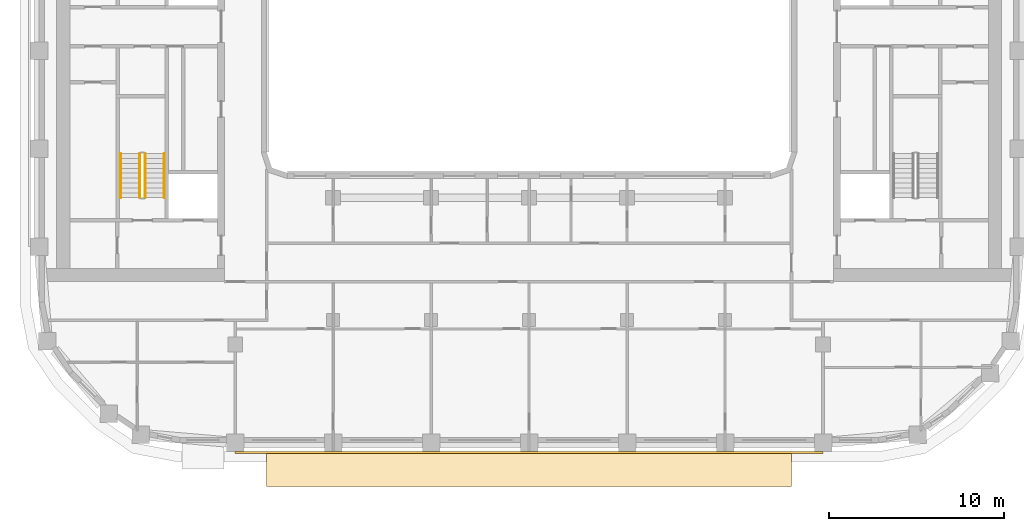
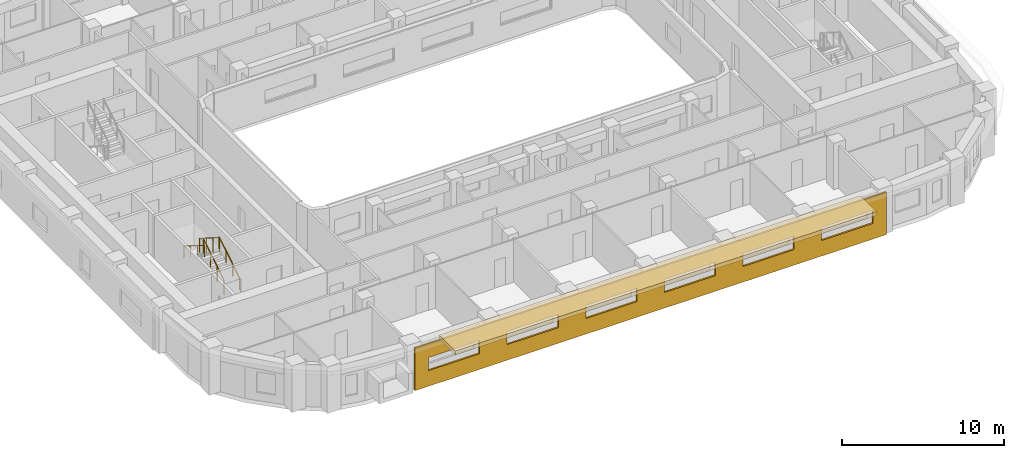
# One storey, part 12 of 22: 4 railings, 2 coverings.
"""IFC4 building model written with IfcOpenShell, lengths in metres."""

from ifc_helpers import new_model, si_unit, direction, frame, origin, origin_2d, place, context, subcontext, project, spatial, polyline, circle, outline, extrude, material, layer, layer_set, type_object, element, save


model = new_model("IFC4")

# Units and contexts
model_context = context("Model", 3, precision=1e-05, world=origin(), true_north=direction((0.0, 1.0)))
body_context = subcontext(model_context, "Body", "Model", "MODEL_VIEW")
ifc_project = project(units=[si_unit("LENGTHUNIT", "METRE"), si_unit("AREAUNIT", "SQUARE_METRE"), si_unit("VOLUMEUNIT", "CUBIC_METRE"), si_unit("PLANEANGLEUNIT", "RADIAN"), si_unit("MASSUNIT", "GRAM", prefix="KILO")], contexts=[model_context])

# Site, building, storey
site_placement = place(None, origin())
site = spatial("IfcSite", under=ifc_project, at=site_placement, CompositionType="ELEMENT")
building_placement = place(site_placement, origin())
building = spatial("IfcBuilding", under=site, at=building_placement, Name="Kiln Ring Residences", CompositionType="ELEMENT")
storey_placement = place(building_placement, frame((0.0, 0.0, 171.10009765625)))
storey = spatial("IfcBuildingStorey", under=building, at=storey_placement, Name="L44", CompositionType="ELEMENT", Elevation=171.10009765625)

# Railings
ifc_material_1 = material(Name="Stainless steel", Category="steel")
railing_type_1 = type_object("IfcRailingType", Name="CORE-STAIR-GUARD", PredefinedType="GUARDRAIL", material=ifc_material_1)
railing_1_placement = place(storey_placement, frame((-21.949951171875, -8.39990234375, 0.1748046875)))
element("IfcRailing", 1, at=railing_1_placement, inside=storey, type_object=railing_type_1, Name="L44 W-STS stair guard 1", PredefinedType="GUARDRAIL", context=body_context, shape_type="SweptSolid", body=[
    extrude(circle(Radius=0.02392578125, at=origin_2d()), frame((0.0, 0.0, 1.076171875), z_axis=(0.0, 0.847970611238, 0.530043245855), x_axis=(-1.0, 0.0, 0.0)), (0.0, 0.0, 1.0), 2.971923828125),
    extrude(circle(Radius=0.02099609375, at=origin_2d()), origin(), (0.0, 0.0, 1.0), 1.052001953125),
    extrude(circle(Radius=0.02099609375, at=origin_2d()), frame((0.0, 0.840087890625, 0.525146484375)), (0.0, 0.0, 1.0), 1.052001953125),
    extrude(circle(Radius=0.02099609375, at=origin_2d()), frame((0.0, 1.679931640625, 1.050048828125)), (0.0, 0.0, 1.0), 1.052001953125),
    extrude(circle(Radius=0.02099609375, at=origin_2d()), frame((0.0, 2.52001953125, 1.5751953125)), (0.0, 0.0, 1.0), 1.052001953125),
])
railing_2_placement = place(storey_placement, frame((-22.25, -5.8798828125, 1.9248046875)))
element("IfcRailing", 2, at=railing_2_placement, inside=storey, type_object=railing_type_1, Name="L44 W-STS stair guard 3", PredefinedType="GUARDRAIL", context=body_context, shape_type="SweptSolid", body=[
    extrude(circle(Radius=0.02392578125, at=origin_2d()), frame((0.0, 0.0, 1.076171875), z_axis=(0.0, -0.847970611238, 0.530043245855), x_axis=(1.0, 0.0, 0.0)), (0.0, 0.0, 1.0), 2.971923828125),
    extrude(circle(Radius=0.02099609375, at=origin_2d()), origin(), (0.0, 0.0, 1.0), 1.052001953125),
    extrude(circle(Radius=0.02099609375, at=origin_2d()), frame((0.0, -0.840087890625, 0.525146484375)), (0.0, 0.0, 1.0), 1.052001953125),
    extrude(circle(Radius=0.02099609375, at=origin_2d()), frame((0.0, -1.679931640625, 1.050048828125)), (0.0, 0.0, 1.0), 1.052001953125),
    extrude(circle(Radius=0.02099609375, at=origin_2d()), frame((0.0, -2.52001953125, 1.5751953125)), (0.0, 0.0, 1.0), 1.052001953125),
])
ifc_material_2 = material(Name="Stainless steel", Category="steel")
railing_type_2 = type_object("IfcRailingType", Name="CORE-STAIR-HANDRAIL", PredefinedType="HANDRAIL", material=ifc_material_2)
railing_3_placement = place(storey_placement, frame((-20.85009765625, -8.39990234375, 0.1748046875)))
element("IfcRailing", 3, at=railing_3_placement, inside=storey, type_object=railing_type_2, Name="L44 W-STS stair handrail 1", PredefinedType="HANDRAIL", context=body_context, shape_type="SweptSolid", body=[
    extrude(circle(Radius=0.02392578125, at=origin_2d()), frame((0.0, 0.0, 0.8759765625), z_axis=(0.0, 0.847970611238, 0.530043245855), x_axis=(-1.0, 0.0, 0.0)), (0.0, 0.0, 1.0), 2.971923828125),
    extrude(circle(Radius=0.02099609375, at=origin_2d()), origin(), (0.0, 0.0, 1.0), 0.851806640625),
    extrude(circle(Radius=0.02099609375, at=origin_2d()), frame((0.0, 0.840087890625, 0.525146484375)), (0.0, 0.0, 1.0), 0.851806640625),
    extrude(circle(Radius=0.02099609375, at=origin_2d()), frame((0.0, 1.679931640625, 1.050048828125)), (0.0, 0.0, 1.0), 0.851806640625),
    extrude(circle(Radius=0.02099609375, at=origin_2d()), frame((0.0, 2.52001953125, 1.5751953125)), (0.0, 0.0, 1.0), 0.851806640625),
])
railing_4_placement = place(storey_placement, frame((-23.35009765625, -5.8798828125, 1.9248046875)))
element("IfcRailing", 4, at=railing_4_placement, inside=storey, type_object=railing_type_2, Name="L44 W-STS stair handrail 2", PredefinedType="HANDRAIL", context=body_context, shape_type="SweptSolid", body=[
    extrude(circle(Radius=0.02392578125, at=origin_2d()), frame((0.0, 0.0, 0.8759765625), z_axis=(0.0, -0.847970611238, 0.530043245855), x_axis=(1.0, 0.0, 0.0)), (0.0, 0.0, 1.0), 2.971923828125),
    extrude(circle(Radius=0.02099609375, at=origin_2d()), origin(), (0.0, 0.0, 1.0), 0.851806640625),
    extrude(circle(Radius=0.02099609375, at=origin_2d()), frame((0.0, -0.840087890625, 0.525146484375)), (0.0, 0.0, 1.0), 0.851806640625),
    extrude(circle(Radius=0.02099609375, at=origin_2d()), frame((0.0, -1.679931640625, 1.050048828125)), (0.0, 0.0, 1.0), 0.851806640625),
    extrude(circle(Radius=0.02099609375, at=origin_2d()), frame((0.0, -2.52001953125, 1.5751953125)), (0.0, 0.0, 1.0), 0.851806640625),
])

# Coverings
ifc_material_3 = material(Name="Brick masonry, dark clay brick", Category="masonry")
ifc_layer_1 = layer(ifc_material_3, 0.1201171875)
ifc_layer_set_1 = layer_set([ifc_layer_1], Name="RAINSCREEN PANEL 120")
covering_type_1 = type_object("IfcCoveringType", Name="RAINSCREEN PANEL 120", PredefinedType="CLADDING", material=ifc_layer_set_1)
covering_1_placement = place(storey_placement, frame((-16.800048828125, -22.9599609375, 0.0), z_axis=(0.0, 0.0, 1.0), x_axis=(1.0, 0.0, 0.0)))
element("IfcCovering", 5, at=covering_1_placement, inside=storey, type_object=covering_type_1, Name="RAINSCREEN L44", PredefinedType="CLADDING", context=body_context, shape_type="SweptSolid", body=[
    extrude(outline(polyline([(0.0, 0.0), (33.60009765625, 0.0), (33.60009765625, 3.199951171875), (0.0, 3.199951171875), (0.0, 0.0)]), holes=[polyline([(4.6201171875, 1.179931640625), (4.6201171875, 2.169921875), (0.97998046875, 2.169921875), (0.97998046875, 1.179931640625), (4.6201171875, 1.179931640625)]), polyline([(6.580078125, 1.179931640625), (10.219970703125, 1.179931640625), (10.219970703125, 2.169921875), (6.580078125, 2.169921875), (6.580078125, 1.179931640625)]), polyline([(12.179931640625, 1.179931640625), (15.820068359375, 1.179931640625), (15.820068359375, 2.169921875), (12.179931640625, 2.169921875), (12.179931640625, 1.179931640625)]), polyline([(21.419921875, 1.179931640625), (21.419921875, 2.169921875), (17.780029296875, 2.169921875), (17.780029296875, 1.179931640625), (21.419921875, 1.179931640625)]), polyline([(23.3798828125, 1.179931640625), (27.02001953125, 1.179931640625), (27.02001953125, 2.169921875), (23.3798828125, 2.169921875), (23.3798828125, 1.179931640625)]), polyline([(28.97998046875, 1.179931640625), (32.6201171875, 1.179931640625), (32.6201171875, 2.169921875), (28.97998046875, 2.169921875), (28.97998046875, 1.179931640625)])]), frame((0.0, 0.06005859375, 0.0), z_axis=(0.0, -1.0, 0.0), x_axis=(1.0, 0.0, 0.0)), (0.0, 0.0, 1.0), 0.1201171875),
])
ifc_material_4 = material(Name="Black powder-coated steel", Category="steel")
ifc_layer_2 = layer(ifc_material_4, 0.300048828125)
ifc_layer_set_2 = layer_set([ifc_layer_2], Name="SUNSHADE BAND 2000")
covering_type_2 = type_object("IfcCoveringType", Name="SUNSHADE BAND 2000", PredefinedType="CLADDING", material=ifc_layer_set_2)
covering_2_placement = place(storey_placement, frame((0.0, 0.0, 3.199951171875)))
element("IfcCovering", 6, at=covering_2_placement, inside=storey, type_object=covering_type_2, Name="SUNSHADE BAND L44", PredefinedType="CLADDING", context=body_context, shape_type="SweptSolid", body=[
    extrude(outline(polyline([(-15.0, -24.89990234375), (15.0, -24.89990234375), (15.0, -22.89990234375), (-15.0, -22.89990234375), (-15.0, -24.89990234375)])), origin(), (0.0, 0.0, 1.0), 0.300048828125),
])

save(model, "model.ifc")
